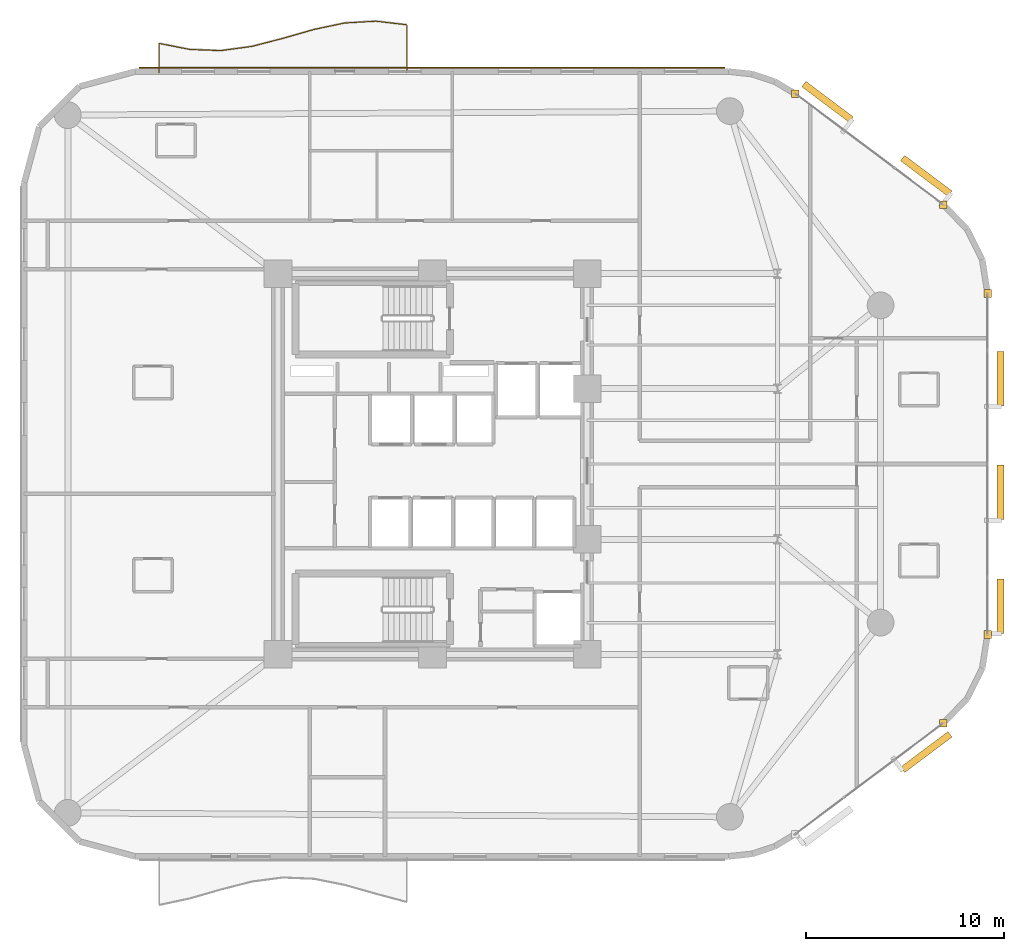
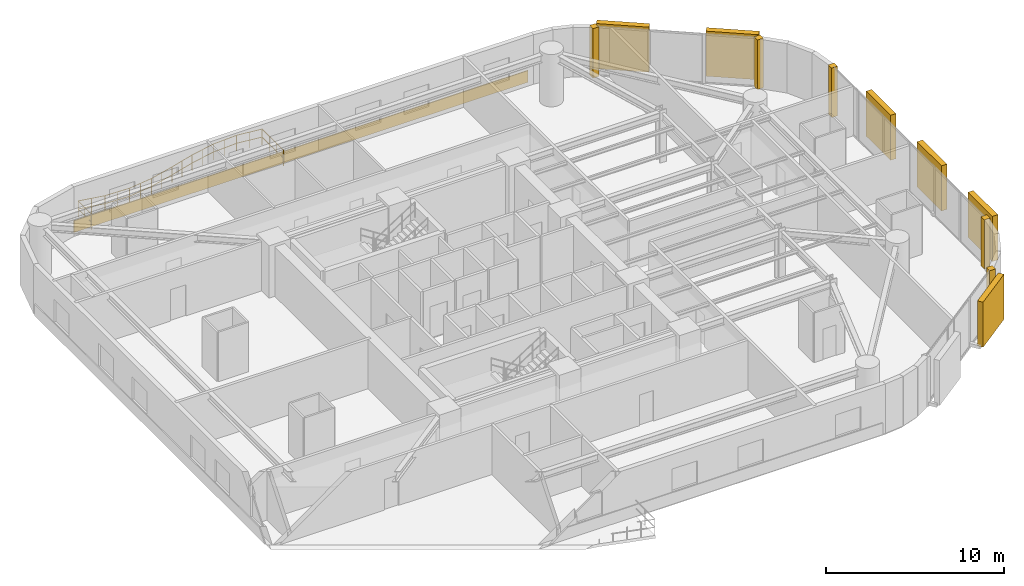
# One storey, part 16 of 16: 6 coverings, 6 shading devices, 1 railing.
"""IFC4 building model written with IfcOpenShell, lengths in metres."""

from ifc_helpers import new_model, si_unit, direction, frame, origin, origin_2d, place, context, subcontext, project, spatial, rectangle, circle, extrude, material, layer, layer_set, type_object, element, save


model = new_model("IFC4")

# Units and contexts
model_context = context("Model", 3, precision=1e-05, world=origin(), true_north=direction((0.0, 1.0)))
body_context = subcontext(model_context, "Body", "Model", "MODEL_VIEW")
ifc_project = project(units=[si_unit("LENGTHUNIT", "METRE"), si_unit("AREAUNIT", "SQUARE_METRE"), si_unit("VOLUMEUNIT", "CUBIC_METRE"), si_unit("PLANEANGLEUNIT", "RADIAN"), si_unit("MASSUNIT", "GRAM", prefix="KILO")], contexts=[model_context])

# Site, building, storey
site_placement = place(None, origin())
site = spatial("IfcSite", under=ifc_project, at=site_placement, CompositionType="ELEMENT")
building_placement = place(site_placement, origin())
building = spatial("IfcBuilding", under=site, at=building_placement, Name="An Khanh Terracotta Commons", CompositionType="ELEMENT")
storey_placement = place(building_placement, frame((0.0, 0.0, 100.699951171875)))
storey = spatial("IfcBuildingStorey", under=building, at=storey_placement, Name="L26", CompositionType="ELEMENT", Elevation=100.699951171875)

# Coverings
ifc_material_1 = material(Name="Fired Terracotta Rainscreen Cladding", Category="masonry")
ifc_layer_1 = layer(ifc_material_1, 0.080078125, Name="Fired Terracotta Rainscreen Cladding")
ifc_layer_set_1 = layer_set([ifc_layer_1], Name="Fired Terracotta Rainscreen Cladding")
covering_type_1 = type_object("IfcCoveringType", Name="COV-JAMB-TERRA", PredefinedType="CLADDING", material=ifc_layer_set_1)
for number, where, z_axis, x_axis, name in (
    (1, (55.159912109375, 10.919921875, 0.0), (0.0, 0.0, 1.0), (1.0, 0.0, 0.0), "L26 CW-02 Curtain-Wall Jamb Closure JB"),
    (2, (57.39990234375, 15.39990234375, 0.0), (0.0, 0.0, 1.0), (1.0, 0.0, 0.0), "L26 CW-02 Curtain-Wall Jamb Closure JA"),
    (3, (57.39990234375, 32.60009765625, 0.0), (0.0, 0.0, 1.0), (1.0, 0.0, 0.0), "L26 CW-02 Curtain-Wall Jamb Closure JB"),
    (4, (55.159912109375, 37.080078125, 0.0), (0.0, 0.0, 1.0), (1.0, 0.0, 0.0), "L26 CW-02 Curtain-Wall Jamb Closure JA"),
    (5, (47.693115234375, 42.679931640625, 0.0), (0.0, 0.0, 1.0), (1.0, 0.0, 0.0), "L26 CW-02 Curtain-Wall Jamb Closure JB"),
):
    element("IfcCovering", number, at=place(storey_placement, frame(where, z_axis=z_axis, x_axis=x_axis)), inside=storey, type_object=covering_type_1, Name=name, PredefinedType="CLADDING", context=body_context, shape_type="SweptSolid", body=[
        extrude(rectangle(XDim=0.3798828125, YDim=0.3798828125, at=origin_2d()), origin(), (0.0, 0.0, 1.0), 3.39990234375),
    ])
ifc_layer_2 = layer(ifc_material_1, 0.06005859375, Name="Fired Terracotta Rainscreen Cladding")
ifc_layer_set_2 = layer_set([ifc_layer_2], Name="Fired Terracotta Rainscreen Cladding")
covering_type_2 = type_object("IfcCoveringType", Name="COV-SPANDREL-TERRA", PredefinedType="CLADDING", material=ifc_layer_set_2)
covering_placement = place(storey_placement, frame((29.365966796875, 43.97998046875, 0.02001953125), z_axis=(0.0, 0.0, 1.0), x_axis=(-1.0, 0.0, 0.0)))
element("IfcCovering", 6, at=covering_placement, inside=storey, type_object=covering_type_2, Name="L26 Terracotta Spandrel Cladding 20", PredefinedType="CLADDING", context=body_context, shape_type="SweptSolid", body=[
    extrude(rectangle(XDim=29.532958984375, YDim=0.06005859375, at=origin_2d()), origin(), (0.0, 0.0, 1.0), 0.800048828125),
])

# Railing
ifc_material_2 = material(Name="Brushed Stainless Steel 316", Category="steel")
railing_type = type_object("IfcRailingType", Name="RAIL-BALUSTRADE-1100", PredefinedType="BALUSTRADE", material=ifc_material_2)
railing_placement = place(storey_placement, frame((28.10009765625, 43.739990234375, 0.0)))
element("IfcRailing", 7, at=railing_placement, inside=storey, type_object=railing_type, Name="L26 N Wave Balcony Guard Balustrade", PredefinedType="BALUSTRADE", context=body_context, shape_type="SweptSolid", body=[
    extrude(circle(Radius=0.02392578125, at=origin_2d()), frame((0.0, 0.0, 1.076171875), z_axis=(0.0, 1.0, 0.0), x_axis=(-1.0, 0.0, 0.0)), (0.0, 0.0, 1.0), 2.4140625),
    extrude(circle(Radius=0.02392578125, at=origin_2d()), frame((0.0, 0.0, 0.52587890625), z_axis=(0.0, 1.0, 0.0), x_axis=(-1.0, 0.0, 0.0)), (0.0, 0.0, 1.0), 2.4140625),
    extrude(circle(Radius=0.02392578125, at=origin_2d()), frame((0.0, 2.4140625, 1.076171875), z_axis=(-0.993288727439, 0.115661160041, 0.0), x_axis=(-0.115661160041, -0.993288727439, 0.0)), (0.0, 0.0, 1.0), 1.572509765625),
    extrude(circle(Radius=0.02392578125, at=origin_2d()), frame((0.0, 2.4140625, 0.52587890625), z_axis=(-0.993288727439, 0.115661160041, 0.0), x_axis=(-0.115661160041, -0.993288727439, 0.0)), (0.0, 0.0, 1.0), 1.572509765625),
    extrude(circle(Radius=0.02392578125, at=origin_2d()), frame((-1.56201171875, 2.595947265625, 1.076171875), z_axis=(-0.998351990592, -0.057387305926, 0.0), x_axis=(0.057387305926, -0.998351990592, 0.0)), (0.0, 0.0, 1.0), 1.565673828125),
    extrude(circle(Radius=0.02392578125, at=origin_2d()), frame((-1.56201171875, 2.595947265625, 0.52587890625), z_axis=(-0.998351990592, -0.057387305926, 0.0), x_axis=(0.057387305926, -0.998351990592, 0.0)), (0.0, 0.0, 1.0), 1.565673828125),
    extrude(circle(Radius=0.02392578125, at=origin_2d()), frame((-3.125, 2.506103515625, 1.076171875), z_axis=(-0.978393744079, -0.206750287902, 0.0), x_axis=(0.206750287902, -0.978393744079, 0.0)), (0.0, 0.0, 1.0), 1.596435546875),
    extrude(circle(Radius=0.02392578125, at=origin_2d()), frame((-3.125, 2.506103515625, 0.52587890625), z_axis=(-0.978393744079, -0.206750287902, 0.0), x_axis=(0.206750287902, -0.978393744079, 0.0)), (0.0, 0.0, 1.0), 1.596435546875),
    extrude(circle(Radius=0.02392578125, at=origin_2d()), frame((-4.68701171875, 2.176025390625, 1.076171875), z_axis=(-0.961291288809, -0.275534132297, 0.0), x_axis=(0.275534132297, -0.961291288809, 0.0)), (0.0, 0.0, 1.0), 1.6259765625),
    extrude(circle(Radius=0.02392578125, at=origin_2d()), frame((-4.68701171875, 2.176025390625, 0.52587890625), z_axis=(-0.961291288809, -0.275534132297, 0.0), x_axis=(0.275534132297, -0.961291288809, 0.0)), (0.0, 0.0, 1.0), 1.6259765625),
    extrude(circle(Radius=0.02392578125, at=origin_2d()), frame((-6.25, 1.72802734375, 1.076171875), z_axis=(-0.968134261873, -0.250431729196, 0.0), x_axis=(0.250431729196, -0.968134261873, 0.0)), (0.0, 0.0, 1.0), 1.613525390625),
    extrude(circle(Radius=0.02392578125, at=origin_2d()), frame((-6.25, 1.72802734375, 0.52587890625), z_axis=(-0.968134261873, -0.250431729196, 0.0), x_axis=(0.250431729196, -0.968134261873, 0.0)), (0.0, 0.0, 1.0), 1.613525390625),
    extrude(circle(Radius=0.02392578125, at=origin_2d()), frame((-7.81201171875, 1.323974609375, 1.076171875), z_axis=(-0.990933485339, -0.134353368521, 0.0), x_axis=(0.134353368521, -0.990933485339, 0.0)), (0.0, 0.0, 1.0), 1.577392578125),
    extrude(circle(Radius=0.02392578125, at=origin_2d()), frame((-7.81201171875, 1.323974609375, 0.52587890625), z_axis=(-0.990933485339, -0.134353368521, 0.0), x_axis=(0.134353368521, -0.990933485339, 0.0)), (0.0, 0.0, 1.0), 1.577392578125),
    extrude(circle(Radius=0.02392578125, at=origin_2d()), frame((-9.375, 1.112060546875, 1.076171875), z_axis=(-0.999337536962, 0.036393505175, 0.0), x_axis=(-0.036393505175, -0.999337536962, 0.0)), (0.0, 0.0, 1.0), 1.56298828125),
    extrude(circle(Radius=0.02392578125, at=origin_2d()), frame((-9.375, 1.112060546875, 0.52587890625), z_axis=(-0.999337536962, 0.036393505175, 0.0), x_axis=(-0.036393505175, -0.999337536962, 0.0)), (0.0, 0.0, 1.0), 1.56298828125),
    extrude(circle(Radius=0.02392578125, at=origin_2d()), frame((-10.93701171875, 1.1689453125, 1.076171875), z_axis=(-0.981351187665, 0.192223428512, 0.0), x_axis=(-0.192223428512, -0.981351187665, 0.0)), (0.0, 0.0, 1.0), 1.5927734375),
    extrude(circle(Radius=0.02392578125, at=origin_2d()), frame((-10.93701171875, 1.1689453125, 0.52587890625), z_axis=(-0.981351187665, 0.192223428512, 0.0), x_axis=(-0.192223428512, -0.981351187665, 0.0)), (0.0, 0.0, 1.0), 1.5927734375),
    extrude(circle(Radius=0.02392578125, at=origin_2d()), frame((-12.5, 1.47509765625, 1.076171875), z_axis=(0.0, -1.0, 0.0), x_axis=(1.0, 0.0, 0.0)), (0.0, 0.0, 1.0), 1.47509765625),
    extrude(circle(Radius=0.02392578125, at=origin_2d()), frame((-12.5, 1.47509765625, 0.52587890625), z_axis=(0.0, -1.0, 0.0), x_axis=(1.0, 0.0, 0.0)), (0.0, 0.0, 1.0), 1.47509765625),
    extrude(circle(Radius=0.02099609375, at=origin_2d()), origin(), (0.0, 0.0, 1.0), 1.052001953125),
    extrude(circle(Radius=0.02099609375, at=origin_2d()), frame((0.0, 0.8046875, 0.0)), (0.0, 0.0, 1.0), 1.052001953125),
    extrude(circle(Radius=0.02099609375, at=origin_2d()), frame((0.0, 1.609375, 0.0)), (0.0, 0.0, 1.0), 1.052001953125),
    extrude(circle(Radius=0.02099609375, at=origin_2d()), frame((0.0, 2.4140625, 0.0)), (0.0, 0.0, 1.0), 1.052001953125),
    extrude(circle(Radius=0.02099609375, at=origin_2d()), frame((-0.781005859375, 2.5048828125, 0.0)), (0.0, 0.0, 1.0), 1.052001953125),
    extrude(circle(Radius=0.02099609375, at=origin_2d()), frame((-1.56201171875, 2.595947265625, 0.0)), (0.0, 0.0, 1.0), 1.052001953125),
    extrude(circle(Radius=0.02099609375, at=origin_2d()), frame((-2.343505859375, 2.551025390625, 0.0)), (0.0, 0.0, 1.0), 1.052001953125),
    extrude(circle(Radius=0.02099609375, at=origin_2d()), frame((-3.125, 2.506103515625, 0.0)), (0.0, 0.0, 1.0), 1.052001953125),
    extrude(circle(Radius=0.02099609375, at=origin_2d()), frame((-3.906005859375, 2.341064453125, 0.0)), (0.0, 0.0, 1.0), 1.052001953125),
    extrude(circle(Radius=0.02099609375, at=origin_2d()), frame((-4.68701171875, 2.176025390625, 0.0)), (0.0, 0.0, 1.0), 1.052001953125),
    extrude(circle(Radius=0.02099609375, at=origin_2d()), frame((-5.468505859375, 1.9521484375, 0.0)), (0.0, 0.0, 1.0), 1.052001953125),
    extrude(circle(Radius=0.02099609375, at=origin_2d()), frame((-6.25, 1.72802734375, 0.0)), (0.0, 0.0, 1.0), 1.052001953125),
    extrude(circle(Radius=0.02099609375, at=origin_2d()), frame((-7.031005859375, 1.52587890625, 0.0)), (0.0, 0.0, 1.0), 1.052001953125),
    extrude(circle(Radius=0.02099609375, at=origin_2d()), frame((-7.81201171875, 1.323974609375, 0.0)), (0.0, 0.0, 1.0), 1.052001953125),
    extrude(circle(Radius=0.02099609375, at=origin_2d()), frame((-8.593505859375, 1.218017578125, 0.0)), (0.0, 0.0, 1.0), 1.052001953125),
    extrude(circle(Radius=0.02099609375, at=origin_2d()), frame((-9.375, 1.112060546875, 0.0)), (0.0, 0.0, 1.0), 1.052001953125),
    extrude(circle(Radius=0.02099609375, at=origin_2d()), frame((-10.156005859375, 1.140625, 0.0)), (0.0, 0.0, 1.0), 1.052001953125),
    extrude(circle(Radius=0.02099609375, at=origin_2d()), frame((-10.93701171875, 1.1689453125, 0.0)), (0.0, 0.0, 1.0), 1.052001953125),
    extrude(circle(Radius=0.02099609375, at=origin_2d()), frame((-11.718505859375, 1.322021484375, 0.0)), (0.0, 0.0, 1.0), 1.052001953125),
    extrude(circle(Radius=0.02099609375, at=origin_2d()), frame((-12.5, 1.47509765625, 0.0)), (0.0, 0.0, 1.0), 1.052001953125),
    extrude(circle(Radius=0.02099609375, at=origin_2d()), frame((-12.5, 0.737548828125, 0.0)), (0.0, 0.0, 1.0), 1.052001953125),
    extrude(circle(Radius=0.02099609375, at=origin_2d()), frame((-12.5, 0.0, 0.0)), (0.0, 0.0, 1.0), 1.052001953125),
])

# Shading devices
ifc_material_3 = material(Name="Extruded Fired Terracotta", Category="masonry")
shading_device_type = type_object("IfcShadingDeviceType", Name="Terracotta Baguette Screen Assembly", PredefinedType="USERDEFINED", material=ifc_material_3)
shading_device_placement = place(storey_placement, frame((54.304931640625, 9.467041015625, 0.14990234375), z_axis=(0.0, 0.0, 1.0), x_axis=(0.800012856594, 0.599982857492, 0.0)))
element("IfcShadingDevice", 8, at=shading_device_placement, inside=storey, type_object=shading_device_type, Name="L26 Terracotta Baguette Screen 3", ObjectType="BAGUETTE", PredefinedType="USERDEFINED", context=body_context, shape_type="SweptSolid", body=[
    extrude(rectangle(XDim=2.990966796875, YDim=0.35009765625, at=origin_2d()), origin(), (0.0, 0.0, 1.0), 3.10009765625),
])
for number, where, z_axis, x_axis, name in (
    (9, (58.050048828125, 16.8330078125, 0.14990234375), (0.0, 0.0, 1.0), (0.0, 1.0, 0.0), "L26 Terracotta Baguette Screen 1"),
    (10, (58.050048828125, 22.56689453125, 0.14990234375), (0.0, 0.0, 1.0), (0.0, 1.0, 0.0), "L26 Terracotta Baguette Screen 3"),
    (11, (58.050048828125, 28.300048828125, 0.14990234375), (0.0, 0.0, 1.0), (0.0, 1.0, 0.0), "L26 Terracotta Baguette Screen 5"),
):
    element("IfcShadingDevice", number, at=place(storey_placement, frame(where, z_axis=z_axis, x_axis=x_axis)), inside=storey, type_object=shading_device_type, Name=name, ObjectType="BAGUETTE", PredefinedType="USERDEFINED", context=body_context, shape_type="SweptSolid", body=[
        extrude(rectangle(XDim=2.7470703125, YDim=0.35009765625, at=origin_2d()), origin(), (0.0, 0.0, 1.0), 3.10009765625),
    ])
for number, where, z_axis, x_axis, name in (
    (12, (54.304931640625, 38.532958984375, 0.14990234375), (0.0, 0.0, 1.0), (-0.800012856594, 0.599982857492, 0.0), "L26 Terracotta Baguette Screen 1"),
    (13, (49.326904296875, 42.26708984375, 0.14990234375), (0.0, 0.0, 1.0), (-0.800012856594, 0.599982857492, 0.0), "L26 Terracotta Baguette Screen 3"),
):
    element("IfcShadingDevice", number, at=place(storey_placement, frame(where, z_axis=z_axis, x_axis=x_axis)), inside=storey, type_object=shading_device_type, Name=name, ObjectType="BAGUETTE", PredefinedType="USERDEFINED", context=body_context, shape_type="SweptSolid", body=[
        extrude(rectangle(XDim=2.990966796875, YDim=0.35009765625, at=origin_2d()), origin(), (0.0, 0.0, 1.0), 3.10009765625),
    ])

save(model, "model.ifc")
